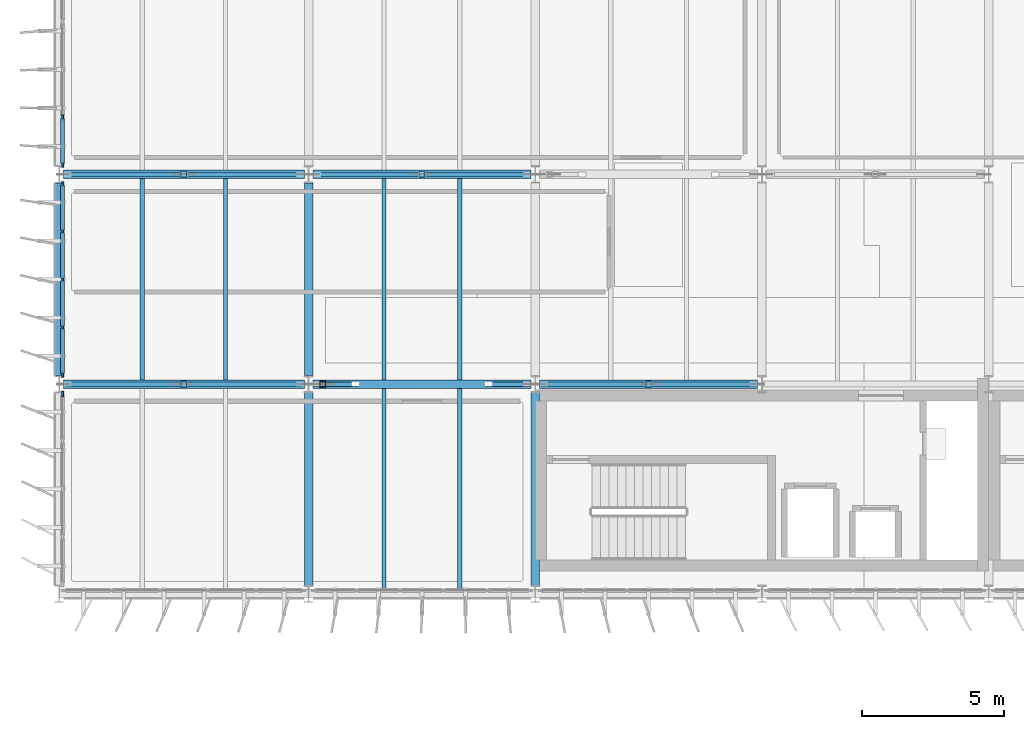
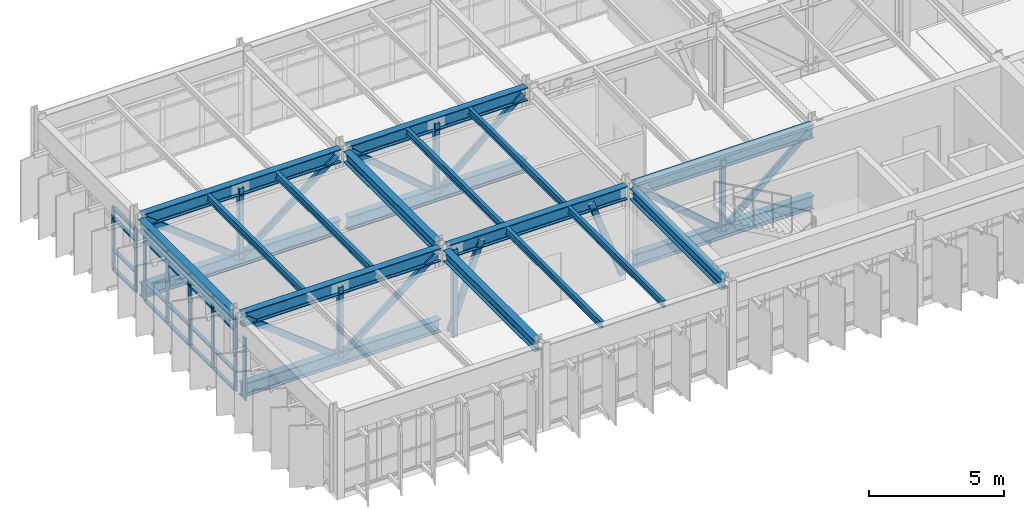
# One storey, part 11 of 56: 52 members, 10 beams, 3 elements without a shape of their own.
"""IFC4 building model written with IfcOpenShell, lengths in metres."""

from ifc_helpers import new_model, si_unit, direction, frame, origin, origin_2d, place, context, subcontext, project, spatial, rectangle, hollow_rectangle, i_section, extrude, material, layer, layer_set, material_profile, profile_set, type_object, element, aggregate, save


model = new_model("IFC4")

# Units and contexts
model_context = context("Model", 3, precision=1e-05, world=origin(), true_north=direction((0.0, 1.0)))
body_context = subcontext(model_context, "Body", "Model", "MODEL_VIEW")
ifc_project = project(units=[si_unit("LENGTHUNIT", "METRE"), si_unit("AREAUNIT", "SQUARE_METRE"), si_unit("VOLUMEUNIT", "CUBIC_METRE"), si_unit("PLANEANGLEUNIT", "RADIAN"), si_unit("MASSUNIT", "GRAM", prefix="KILO")], contexts=[model_context])

# Site, building, storey
site_placement = place(None, origin())
site = spatial("IfcSite", under=ifc_project, at=site_placement, CompositionType="ELEMENT")
building_placement = place(site_placement, origin())
building = spatial("IfcBuilding", under=site, at=building_placement, Name="Valkorina Park Police Headquarters", CompositionType="ELEMENT")
storey_placement = place(building_placement, frame((0.0, 0.0, 14.10009765625)))
storey = spatial("IfcBuildingStorey", under=building, at=storey_placement, Name="L04", CompositionType="ELEMENT", Elevation=14.10009765625)

# Beams
ifc_material_1 = material(Name="Steel S355", Category="steel")
ifc_material_profile_1 = material_profile(ifc_material_1, i_section(OverallWidth=0.300048828125, OverallDepth=0.489990234375, WebThickness=0.011962890625, FlangeThickness=0.02294921875, FilletRadius=0.027099609375, at=origin_2d()), Name="HEA 500")
ifc_profile_set_1 = profile_set([ifc_material_profile_1], Name="Steel S355")
beam_type_1 = type_object("IfcBeamType", Name="BM-S355-HEA500-BM", PredefinedType="BEAM", material=ifc_profile_set_1)
for number, where, z_axis, x_axis, name in (
    (1, (8.800048828125, 37.300048828125, 3.510009765625), (0.0, 1.0, 0.0), (-1.0, 0.0, 0.0), "L04 Framing Beam 2300"),
    (2, (8.800048828125, 44.699951171875, 3.510009765625), (0.0, 1.0, 0.0), (-1.0, 0.0, 0.0), "L04 Framing Beam 2303"),
    (3, (16.800048828125, 37.300048828125, 3.510009765625), (0.0, 1.0, 0.0), (-1.0, 0.0, 0.0), "L04 Framing Beam 2309"),
):
    element("IfcBeam", number, at=place(storey_placement, frame(where, z_axis=z_axis, x_axis=x_axis)), inside=storey, type_object=beam_type_1, Name=name, PredefinedType="BEAM", context=body_context, shape_type="SweptSolid", body=[
        extrude(i_section(OverallWidth=0.300048828125, OverallDepth=0.489990234375, WebThickness=0.011962890625, FlangeThickness=0.02294921875, FilletRadius=0.027099609375, at=origin_2d()), origin(), (0.0, 0.0, 1.0), 6.800048828125),
    ])
ifc_material_profile_2 = material_profile(ifc_material_1, i_section(OverallWidth=0.300048828125, OverallDepth=0.489990234375, WebThickness=0.011962890625, FlangeThickness=0.02294921875, FilletRadius=0.027099609375, at=origin_2d()), Name="HEA 500")
ifc_profile_set_2 = profile_set([ifc_material_profile_2], Name="Steel S355")
beam_type_2 = type_object("IfcBeamType", Name="BM-S355-HEA500-SPN", PredefinedType="SPANDREL", material=ifc_profile_set_2)
beam_placement = place(storey_placement, frame((0.0, 44.699951171875, 3.510009765625), z_axis=(0.0, 1.0, 0.0), x_axis=(-1.0, 0.0, 0.0)))
element("IfcBeam", 4, at=beam_placement, inside=storey, type_object=beam_type_2, Name="L04 Framing Beam 2294", PredefinedType="SPANDREL", context=body_context, shape_type="SweptSolid", body=[
    extrude(i_section(OverallWidth=0.300048828125, OverallDepth=0.489990234375, WebThickness=0.011962890625, FlangeThickness=0.02294921875, FilletRadius=0.027099609375, at=origin_2d()), origin(), (0.0, 0.0, 1.0), 6.800048828125),
])
ifc_material_profile_3 = material_profile(ifc_material_1, i_section(OverallWidth=0.14990234375, OverallDepth=0.300048828125, WebThickness=0.007080078125, FlangeThickness=0.0107421875, FilletRadius=0.014892578125, at=origin_2d()), Name="IPE 300")
ifc_profile_set_3 = profile_set([ifc_material_profile_3], Name="Steel S355")
beam_type_3 = type_object("IfcBeamType", Name="BM-S355-IPE300-JST", PredefinedType="JOIST", material=ifc_profile_set_3)
for number, where, z_axis, x_axis, name in (
    (5, (2.933349609375, 44.550048828125, 3.60498046875), (0.0, 1.0, 0.0), (-1.0, 0.0, 0.0), "L04 Framing Beam 2295"),
    (6, (5.86669921875, 44.550048828125, 3.60498046875), (0.0, 1.0, 0.0), (-1.0, 0.0, 0.0), "L04 Framing Beam 2296"),
):
    element("IfcBeam", number, at=place(storey_placement, frame(where, z_axis=z_axis, x_axis=x_axis)), inside=storey, type_object=beam_type_3, Name=name, PredefinedType="JOIST", context=body_context, shape_type="SweptSolid", body=[
        extrude(i_section(OverallWidth=0.14990234375, OverallDepth=0.300048828125, WebThickness=0.007080078125, FlangeThickness=0.0107421875, FilletRadius=0.014892578125, at=origin_2d()), origin(), (0.0, 0.0, 1.0), 7.099853515625),
    ])
for number, where, z_axis, x_axis, name in (
    (7, (11.466796875, 37.14990234375, 3.60498046875), (0.0, 1.0, 0.0), (-1.0, 0.0, 0.0), "L04 Framing Beam 2301"),
    (8, (14.13330078125, 37.14990234375, 3.60498046875), (0.0, 1.0, 0.0), (-1.0, 0.0, 0.0), "L04 Framing Beam 2302"),
):
    element("IfcBeam", number, at=place(storey_placement, frame(where, z_axis=z_axis, x_axis=x_axis)), inside=storey, type_object=beam_type_3, Name=name, PredefinedType="JOIST", context=body_context, shape_type="SweptSolid", body=[
        extrude(i_section(OverallWidth=0.14990234375, OverallDepth=0.300048828125, WebThickness=0.007080078125, FlangeThickness=0.0107421875, FilletRadius=0.014892578125, at=origin_2d()), origin(), (0.0, 0.0, 1.0), 7.10009765625),
    ])
for number, where, z_axis, x_axis, name in (
    (9, (11.466796875, 44.550048828125, 3.60498046875), (0.0, 1.0, 0.0), (-1.0, 0.0, 0.0), "L04 Framing Beam 2304"),
    (10, (14.13330078125, 44.550048828125, 3.60498046875), (0.0, 1.0, 0.0), (-1.0, 0.0, 0.0), "L04 Framing Beam 2305"),
):
    element("IfcBeam", number, at=place(storey_placement, frame(where, z_axis=z_axis, x_axis=x_axis)), inside=storey, type_object=beam_type_3, Name=name, PredefinedType="JOIST", context=body_context, shape_type="SweptSolid", body=[
        extrude(i_section(OverallWidth=0.14990234375, OverallDepth=0.300048828125, WebThickness=0.007080078125, FlangeThickness=0.0107421875, FilletRadius=0.014892578125, at=origin_2d()), origin(), (0.0, 0.0, 1.0), 7.099853515625),
    ])

# Curtain wall, member
ifc_material_2 = material(Name="Thermally broken aluminium AW-6060", Category="aluminium")
ifc_layer_1 = layer(ifc_material_2, 0.18994140625)
ifc_layer_set_1 = layer_set([ifc_layer_1], Name="Thermally broken aluminium AW-6060")
curtain_wall_type_1 = type_object("IfcCurtainWallType", Name="CW-V5-6780x2840", PredefinedType="NOTDEFINED", material=ifc_layer_set_1)
curtain_wall_1_placement = place(storey_placement, origin())
curtain_wall_1 = element("IfcCurtainWall", 11, at=curtain_wall_1_placement, inside=storey, type_object=curtain_wall_type_1, Name="L04 Unitised Curtain Wall 058", PredefinedType="NOTDEFINED")
ifc_material_profile_4 = material_profile(ifc_material_2, rectangle(XDim=0.070068359375, YDim=0.18994140625, at=origin_2d()), Name="CWM-02 70x190")
ifc_profile_set_4 = profile_set([ifc_material_profile_4], Name="Thermally broken aluminium AW-6060")
member_type_1 = type_object("IfcMemberType", Name="CWM-70x190", PredefinedType="MULLION", material=ifc_profile_set_4)
member_1_placement = place(storey_placement, frame((0.1201171875, 44.054931640625, 0.0), z_axis=(0.0, 0.0, 1.0), x_axis=(-1.0, 0.0, 0.0)))
member_1 = element("IfcMember", 12, at=member_1_placement, type_object=member_type_1, Name="CW-V5-678-284 mullion 5", PredefinedType="MULLION", context=body_context, shape_type="SweptSolid", body=[
    extrude(rectangle(XDim=0.070068359375, YDim=0.18994140625, at=origin_2d()), origin(), (0.0, 0.0, 1.0), 2.844970703125),
])
aggregate(curtain_wall_1, [member_1])

# Curtain wall, members
ifc_layer_2 = layer(ifc_material_2, 0.18994140625)
ifc_layer_set_2 = layer_set([ifc_layer_2], Name="Thermally broken aluminium AW-6060")
curtain_wall_type_2 = type_object("IfcCurtainWallType", Name="CW-V5-6780x3260", PredefinedType="NOTDEFINED", material=ifc_layer_set_2)
curtain_wall_2_placement = place(storey_placement, origin())
curtain_wall_2 = element("IfcCurtainWall", 13, at=curtain_wall_2_placement, inside=storey, type_object=curtain_wall_type_2, Name="L04 Unitised Curtain Wall 059", PredefinedType="NOTDEFINED")
member_2_placement = place(storey_placement, frame((0.1201171875, 44.7451171875, 0.0), z_axis=(0.0, 0.0, 1.0), x_axis=(-1.0, 0.0, 0.0)))
member_2 = element("IfcMember", 14, at=member_2_placement, type_object=member_type_1, Name="CW-V5-678-326 mullion 1", PredefinedType="MULLION", context=body_context, shape_type="SweptSolid", body=[
    extrude(rectangle(XDim=0.070068359375, YDim=0.18994140625, at=origin_2d()), origin(), (0.0, 0.0, 1.0), 3.2548828125),
])
member_3_placement = place(storey_placement, frame((0.1201171875, 46.405029296875, 0.0), z_axis=(0.0, 0.0, 1.0), x_axis=(-1.0, 0.0, 0.0)))
member_3 = element("IfcMember", 15, at=member_3_placement, type_object=member_type_1, Name="CW-V5-678-326 mullion 2", PredefinedType="MULLION", context=body_context, shape_type="SweptSolid", body=[
    extrude(rectangle(XDim=0.070068359375, YDim=0.18994140625, at=origin_2d()), origin(), (0.0, 0.0, 1.0), 3.2548828125),
])
member_4_placement = place(storey_placement, frame((0.1201171875, 48.10009765625, 0.0), z_axis=(0.0, 0.0, 1.0), x_axis=(-1.0, 0.0, 0.0)))
member_4 = element("IfcMember", 16, at=member_4_placement, type_object=member_type_1, Name="CW-V5-678-326 mullion 3", PredefinedType="MULLION", context=body_context, shape_type="SweptSolid", body=[
    extrude(rectangle(XDim=0.070068359375, YDim=0.18994140625, at=origin_2d()), origin(), (0.0, 0.0, 1.0), 3.2548828125),
])
member_5_placement = place(storey_placement, frame((0.1201171875, 49.794921875, 0.0), z_axis=(0.0, 0.0, 1.0), x_axis=(-1.0, 0.0, 0.0)))
member_5 = element("IfcMember", 17, at=member_5_placement, type_object=member_type_1, Name="CW-V5-678-326 mullion 4", PredefinedType="MULLION", context=body_context, shape_type="SweptSolid", body=[
    extrude(rectangle(XDim=0.070068359375, YDim=0.18994140625, at=origin_2d()), origin(), (0.0, 0.0, 1.0), 3.2548828125),
])
member_6_placement = place(storey_placement, frame((0.1201171875, 51.455078125, 0.0), z_axis=(0.0, 0.0, 1.0), x_axis=(-1.0, 0.0, 0.0)))
member_6 = element("IfcMember", 18, at=member_6_placement, type_object=member_type_1, Name="CW-V5-678-326 mullion 5", PredefinedType="MULLION", context=body_context, shape_type="SweptSolid", body=[
    extrude(rectangle(XDim=0.070068359375, YDim=0.18994140625, at=origin_2d()), origin(), (0.0, 0.0, 1.0), 3.2548828125),
])

curtain_wall_3_placement = place(storey_placement, origin())
curtain_wall_3 = element("IfcCurtainWall", 19, at=curtain_wall_3_placement, inside=storey, type_object=curtain_wall_type_1, Name="L04 Unitised Curtain Wall 060", PredefinedType="NOTDEFINED")
member_7_placement = place(storey_placement, frame((0.1201171875, 52.14501953125, 0.0), z_axis=(0.0, 0.0, 1.0), x_axis=(-1.0, 0.0, 0.0)))
member_7 = element("IfcMember", 20, at=member_7_placement, type_object=member_type_1, Name="CW-V5-678-284 mullion 1", PredefinedType="MULLION", context=body_context, shape_type="SweptSolid", body=[
    extrude(rectangle(XDim=0.070068359375, YDim=0.18994140625, at=origin_2d()), origin(), (0.0, 0.0, 1.0), 2.844970703125),
])
member_8_placement = place(storey_placement, frame((0.1201171875, 53.804931640625, 0.0), z_axis=(0.0, 0.0, 1.0), x_axis=(-1.0, 0.0, 0.0)))
member_8 = element("IfcMember", 21, at=member_8_placement, type_object=member_type_1, Name="CW-V5-678-284 mullion 2", PredefinedType="MULLION", context=body_context, shape_type="SweptSolid", body=[
    extrude(rectangle(XDim=0.070068359375, YDim=0.18994140625, at=origin_2d()), origin(), (0.0, 0.0, 1.0), 2.844970703125),
])

# Member
ifc_material_profile_5 = material_profile(ifc_material_2, rectangle(XDim=0.14990234375, YDim=0.070068359375, at=origin_2d()), Name="CWT-02 150x70")
ifc_profile_set_5 = profile_set([ifc_material_profile_5], Name="Thermally broken aluminium AW-6060")
member_type_2 = type_object("IfcMemberType", Name="CWT-150x70", PredefinedType="USERDEFINED", material=ifc_profile_set_5)
member_9_placement = place(storey_placement, frame((0.1201171875, 44.780029296875, 0.034912109375), z_axis=(0.0, 1.0, 0.0), x_axis=(-1.0, 0.0, 0.0)))
member_9 = element("IfcMember", 22, at=member_9_placement, type_object=member_type_2, Name="CW-V5-678-326 transom 1.1", ObjectType="TRANSOM", PredefinedType="USERDEFINED", context=body_context, shape_type="SweptSolid", body=[
    extrude(rectangle(XDim=0.14990234375, YDim=0.070068359375, at=origin_2d()), origin(), (0.0, 0.0, 1.0), 1.590087890625),
])

member_10_placement = place(storey_placement, frame((0.1201171875, 44.780029296875, 0.89990234375), z_axis=(0.0, 1.0, 0.0), x_axis=(-1.0, 0.0, 0.0)))
member_10 = element("IfcMember", 23, at=member_10_placement, type_object=member_type_2, Name="CW-V5-678-326 transom 1.2", ObjectType="TRANSOM", PredefinedType="USERDEFINED", context=body_context, shape_type="SweptSolid", body=[
    extrude(rectangle(XDim=0.14990234375, YDim=0.070068359375, at=origin_2d()), origin(), (0.0, 0.0, 1.0), 1.590087890625),
])

member_11_placement = place(storey_placement, frame((0.1201171875, 44.780029296875, 2.73486328125), z_axis=(0.0, 1.0, 0.0), x_axis=(-1.0, 0.0, 0.0)))
member_11 = element("IfcMember", 24, at=member_11_placement, type_object=member_type_2, Name="CW-V5-678-326 transom 1.3", ObjectType="TRANSOM", PredefinedType="USERDEFINED", context=body_context, shape_type="SweptSolid", body=[
    extrude(rectangle(XDim=0.14990234375, YDim=0.070068359375, at=origin_2d()), origin(), (0.0, 0.0, 1.0), 1.590087890625),
])

member_12_placement = place(storey_placement, frame((0.1201171875, 44.780029296875, 3.219970703125), z_axis=(0.0, 1.0, 0.0), x_axis=(-1.0, 0.0, 0.0)))
member_12 = element("IfcMember", 25, at=member_12_placement, type_object=member_type_2, Name="CW-V5-678-326 transom 1.4", ObjectType="TRANSOM", PredefinedType="USERDEFINED", context=body_context, shape_type="SweptSolid", body=[
    extrude(rectangle(XDim=0.14990234375, YDim=0.070068359375, at=origin_2d()), origin(), (0.0, 0.0, 1.0), 1.590087890625),
])

member_13_placement = place(storey_placement, frame((0.1201171875, 46.43994140625, 0.034912109375), z_axis=(0.0, 1.0, 0.0), x_axis=(-1.0, 0.0, 0.0)))
member_13 = element("IfcMember", 26, at=member_13_placement, type_object=member_type_2, Name="CW-V5-678-326 transom 2.1", ObjectType="TRANSOM", PredefinedType="USERDEFINED", context=body_context, shape_type="SweptSolid", body=[
    extrude(rectangle(XDim=0.14990234375, YDim=0.070068359375, at=origin_2d()), origin(), (0.0, 0.0, 1.0), 1.625),
])

member_14_placement = place(storey_placement, frame((0.1201171875, 46.43994140625, 0.89990234375), z_axis=(0.0, 1.0, 0.0), x_axis=(-1.0, 0.0, 0.0)))
member_14 = element("IfcMember", 27, at=member_14_placement, type_object=member_type_2, Name="CW-V5-678-326 transom 2.2", ObjectType="TRANSOM", PredefinedType="USERDEFINED", context=body_context, shape_type="SweptSolid", body=[
    extrude(rectangle(XDim=0.14990234375, YDim=0.070068359375, at=origin_2d()), origin(), (0.0, 0.0, 1.0), 1.625),
])

member_15_placement = place(storey_placement, frame((0.1201171875, 46.43994140625, 2.73486328125), z_axis=(0.0, 1.0, 0.0), x_axis=(-1.0, 0.0, 0.0)))
member_15 = element("IfcMember", 28, at=member_15_placement, type_object=member_type_2, Name="CW-V5-678-326 transom 2.3", ObjectType="TRANSOM", PredefinedType="USERDEFINED", context=body_context, shape_type="SweptSolid", body=[
    extrude(rectangle(XDim=0.14990234375, YDim=0.070068359375, at=origin_2d()), origin(), (0.0, 0.0, 1.0), 1.625),
])

member_16_placement = place(storey_placement, frame((0.1201171875, 46.43994140625, 3.219970703125), z_axis=(0.0, 1.0, 0.0), x_axis=(-1.0, 0.0, 0.0)))
member_16 = element("IfcMember", 29, at=member_16_placement, type_object=member_type_2, Name="CW-V5-678-326 transom 2.4", ObjectType="TRANSOM", PredefinedType="USERDEFINED", context=body_context, shape_type="SweptSolid", body=[
    extrude(rectangle(XDim=0.14990234375, YDim=0.070068359375, at=origin_2d()), origin(), (0.0, 0.0, 1.0), 1.625),
])

member_17_placement = place(storey_placement, frame((0.1201171875, 48.135009765625, 0.034912109375), z_axis=(0.0, 1.0, 0.0), x_axis=(-1.0, 0.0, 0.0)))
member_17 = element("IfcMember", 30, at=member_17_placement, type_object=member_type_2, Name="CW-V5-678-326 transom 3.1", ObjectType="TRANSOM", PredefinedType="USERDEFINED", context=body_context, shape_type="SweptSolid", body=[
    extrude(rectangle(XDim=0.14990234375, YDim=0.070068359375, at=origin_2d()), origin(), (0.0, 0.0, 1.0), 1.625),
])

member_18_placement = place(storey_placement, frame((0.1201171875, 48.135009765625, 0.89990234375), z_axis=(0.0, 1.0, 0.0), x_axis=(-1.0, 0.0, 0.0)))
member_18 = element("IfcMember", 31, at=member_18_placement, type_object=member_type_2, Name="CW-V5-678-326 transom 3.2", ObjectType="TRANSOM", PredefinedType="USERDEFINED", context=body_context, shape_type="SweptSolid", body=[
    extrude(rectangle(XDim=0.14990234375, YDim=0.070068359375, at=origin_2d()), origin(), (0.0, 0.0, 1.0), 1.625),
])

member_19_placement = place(storey_placement, frame((0.1201171875, 48.135009765625, 2.73486328125), z_axis=(0.0, 1.0, 0.0), x_axis=(-1.0, 0.0, 0.0)))
member_19 = element("IfcMember", 32, at=member_19_placement, type_object=member_type_2, Name="CW-V5-678-326 transom 3.3", ObjectType="TRANSOM", PredefinedType="USERDEFINED", context=body_context, shape_type="SweptSolid", body=[
    extrude(rectangle(XDim=0.14990234375, YDim=0.070068359375, at=origin_2d()), origin(), (0.0, 0.0, 1.0), 1.625),
])

member_20_placement = place(storey_placement, frame((0.1201171875, 48.135009765625, 3.219970703125), z_axis=(0.0, 1.0, 0.0), x_axis=(-1.0, 0.0, 0.0)))
member_20 = element("IfcMember", 33, at=member_20_placement, type_object=member_type_2, Name="CW-V5-678-326 transom 3.4", ObjectType="TRANSOM", PredefinedType="USERDEFINED", context=body_context, shape_type="SweptSolid", body=[
    extrude(rectangle(XDim=0.14990234375, YDim=0.070068359375, at=origin_2d()), origin(), (0.0, 0.0, 1.0), 1.625),
])

member_21_placement = place(storey_placement, frame((0.1201171875, 49.830078125, 0.034912109375), z_axis=(0.0, 1.0, 0.0), x_axis=(-1.0, 0.0, 0.0)))
member_21 = element("IfcMember", 34, at=member_21_placement, type_object=member_type_2, Name="CW-V5-678-326 transom 4.1", ObjectType="TRANSOM", PredefinedType="USERDEFINED", context=body_context, shape_type="SweptSolid", body=[
    extrude(rectangle(XDim=0.14990234375, YDim=0.070068359375, at=origin_2d()), origin(), (0.0, 0.0, 1.0), 1.58984375),
])

member_22_placement = place(storey_placement, frame((0.1201171875, 49.830078125, 0.89990234375), z_axis=(0.0, 1.0, 0.0), x_axis=(-1.0, 0.0, 0.0)))
member_22 = element("IfcMember", 35, at=member_22_placement, type_object=member_type_2, Name="CW-V5-678-326 transom 4.2", ObjectType="TRANSOM", PredefinedType="USERDEFINED", context=body_context, shape_type="SweptSolid", body=[
    extrude(rectangle(XDim=0.14990234375, YDim=0.070068359375, at=origin_2d()), origin(), (0.0, 0.0, 1.0), 1.58984375),
])

member_23_placement = place(storey_placement, frame((0.1201171875, 49.830078125, 2.73486328125), z_axis=(0.0, 1.0, 0.0), x_axis=(-1.0, 0.0, 0.0)))
member_23 = element("IfcMember", 36, at=member_23_placement, type_object=member_type_2, Name="CW-V5-678-326 transom 4.3", ObjectType="TRANSOM", PredefinedType="USERDEFINED", context=body_context, shape_type="SweptSolid", body=[
    extrude(rectangle(XDim=0.14990234375, YDim=0.070068359375, at=origin_2d()), origin(), (0.0, 0.0, 1.0), 1.58984375),
])

member_24_placement = place(storey_placement, frame((0.1201171875, 49.830078125, 3.219970703125), z_axis=(0.0, 1.0, 0.0), x_axis=(-1.0, 0.0, 0.0)))
member_24 = element("IfcMember", 37, at=member_24_placement, type_object=member_type_2, Name="CW-V5-678-326 transom 4.4", ObjectType="TRANSOM", PredefinedType="USERDEFINED", context=body_context, shape_type="SweptSolid", body=[
    extrude(rectangle(XDim=0.14990234375, YDim=0.070068359375, at=origin_2d()), origin(), (0.0, 0.0, 1.0), 1.58984375),
])

aggregate(curtain_wall_2, [member_2, member_3, member_4, member_5, member_6, member_9, member_10, member_11, member_12, member_13, member_14, member_15, member_16, member_17, member_18, member_19, member_20, member_21, member_22, member_23, member_24])

member_25_placement = place(storey_placement, frame((0.1201171875, 52.179931640625, 0.034912109375), z_axis=(0.0, 1.0, 0.0), x_axis=(-1.0, 0.0, 0.0)))
member_25 = element("IfcMember", 38, at=member_25_placement, type_object=member_type_2, Name="CW-V5-678-284 transom 1.1", ObjectType="TRANSOM", PredefinedType="USERDEFINED", context=body_context, shape_type="SweptSolid", body=[
    extrude(rectangle(XDim=0.14990234375, YDim=0.070068359375, at=origin_2d()), origin(), (0.0, 0.0, 1.0), 1.590087890625),
])

member_26_placement = place(storey_placement, frame((0.1201171875, 52.179931640625, 0.89990234375), z_axis=(0.0, 1.0, 0.0), x_axis=(-1.0, 0.0, 0.0)))
member_26 = element("IfcMember", 39, at=member_26_placement, type_object=member_type_2, Name="CW-V5-678-284 transom 1.2", ObjectType="TRANSOM", PredefinedType="USERDEFINED", context=body_context, shape_type="SweptSolid", body=[
    extrude(rectangle(XDim=0.14990234375, YDim=0.070068359375, at=origin_2d()), origin(), (0.0, 0.0, 1.0), 1.590087890625),
])

member_27_placement = place(storey_placement, frame((0.1201171875, 52.179931640625, 2.324951171875), z_axis=(0.0, 1.0, 0.0), x_axis=(-1.0, 0.0, 0.0)))
member_27 = element("IfcMember", 40, at=member_27_placement, type_object=member_type_2, Name="CW-V5-678-284 transom 1.3", ObjectType="TRANSOM", PredefinedType="USERDEFINED", context=body_context, shape_type="SweptSolid", body=[
    extrude(rectangle(XDim=0.14990234375, YDim=0.070068359375, at=origin_2d()), origin(), (0.0, 0.0, 1.0), 1.590087890625),
])

member_28_placement = place(storey_placement, frame((0.1201171875, 52.179931640625, 2.809814453125), z_axis=(0.0, 1.0, 0.0), x_axis=(-1.0, 0.0, 0.0)))
member_28 = element("IfcMember", 41, at=member_28_placement, type_object=member_type_2, Name="CW-V5-678-284 transom 1.4", ObjectType="TRANSOM", PredefinedType="USERDEFINED", context=body_context, shape_type="SweptSolid", body=[
    extrude(rectangle(XDim=0.14990234375, YDim=0.070068359375, at=origin_2d()), origin(), (0.0, 0.0, 1.0), 1.590087890625),
])

aggregate(curtain_wall_3, [member_7, member_8, member_25, member_26, member_27, member_28])

# Members
ifc_material_profile_6 = material_profile(ifc_material_1, i_section(OverallWidth=0.300048828125, OverallDepth=0.60009765625, WebThickness=0.015380859375, FlangeThickness=0.030029296875, FilletRadius=0.027099609375, at=origin_2d()), Name="HEB 600")
ifc_profile_set_6 = profile_set([ifc_material_profile_6], Name="Steel S355")
member_type_3 = type_object("IfcMemberType", Name="MB-S355-HEB600-CHD", PredefinedType="CHORD", material=ifc_profile_set_6)
for number, where, z_axis, x_axis, name in (
    (42, (0.14990234375, 44.39990234375, 0.25), (1.0, 0.0, 0.0), (0.0, 1.0, 0.0), "Cantilever Truss M1 Bottom Chord 1"),
    (43, (0.14990234375, 44.39990234375, 3.454833984375), (1.0, 0.0, 0.0), (0.0, 1.0, 0.0), "Cantilever Truss M1 Top Chord 1"),
):
    element("IfcMember", number, at=place(storey_placement, frame(where, z_axis=z_axis, x_axis=x_axis)), inside=storey, type_object=member_type_3, Name=name, PredefinedType="CHORD", context=body_context, shape_type="SweptSolid", body=[
        extrude(i_section(OverallWidth=0.300048828125, OverallDepth=0.60009765625, WebThickness=0.015380859375, FlangeThickness=0.030029296875, FilletRadius=0.027099609375, at=origin_2d()), origin(), (0.0, 0.0, 1.0), 8.5),
    ])
for number, where, z_axis, x_axis, name in (
    (44, (8.949951171875, 44.39990234375, 3.454833984375), (1.0, 0.0, 0.0), (0.0, 1.0, 0.0), "Cantilever Truss M1 Top Chord 2"),
    (45, (16.949951171875, 44.39990234375, 0.25), (1.0, 0.0, 0.0), (0.0, 1.0, 0.0), "Cantilever Truss M1 Bottom Chord 3"),
    (46, (16.949951171875, 44.39990234375, 3.454833984375), (1.0, 0.0, 0.0), (0.0, 1.0, 0.0), "Cantilever Truss M1 Top Chord 3"),
):
    element("IfcMember", number, at=place(storey_placement, frame(where, z_axis=z_axis, x_axis=x_axis)), inside=storey, type_object=member_type_3, Name=name, PredefinedType="CHORD", context=body_context, shape_type="SweptSolid", body=[
        extrude(i_section(OverallWidth=0.300048828125, OverallDepth=0.60009765625, WebThickness=0.015380859375, FlangeThickness=0.030029296875, FilletRadius=0.027099609375, at=origin_2d()), origin(), (0.0, 0.0, 1.0), 7.699951171875),
    ])
for number, where, z_axis, x_axis, name in (
    (47, (0.14990234375, 51.800048828125, 0.25), (1.0, 0.0, 0.0), (0.0, 1.0, 0.0), "Cantilever Truss M2 Bottom Chord 1"),
    (48, (0.14990234375, 51.800048828125, 3.454833984375), (1.0, 0.0, 0.0), (0.0, 1.0, 0.0), "Cantilever Truss M2 Top Chord 1"),
):
    element("IfcMember", number, at=place(storey_placement, frame(where, z_axis=z_axis, x_axis=x_axis)), inside=storey, type_object=member_type_3, Name=name, PredefinedType="CHORD", context=body_context, shape_type="SweptSolid", body=[
        extrude(i_section(OverallWidth=0.300048828125, OverallDepth=0.60009765625, WebThickness=0.015380859375, FlangeThickness=0.030029296875, FilletRadius=0.027099609375, at=origin_2d()), origin(), (0.0, 0.0, 1.0), 8.5),
    ])
for number, where, z_axis, x_axis, name in (
    (49, (8.949951171875, 51.800048828125, 0.25), (1.0, 0.0, 0.0), (0.0, 1.0, 0.0), "Cantilever Truss M2 Bottom Chord 2"),
    (50, (8.949951171875, 51.800048828125, 3.454833984375), (1.0, 0.0, 0.0), (0.0, 1.0, 0.0), "Cantilever Truss M2 Top Chord 2"),
):
    element("IfcMember", number, at=place(storey_placement, frame(where, z_axis=z_axis, x_axis=x_axis)), inside=storey, type_object=member_type_3, Name=name, PredefinedType="CHORD", context=body_context, shape_type="SweptSolid", body=[
        extrude(i_section(OverallWidth=0.300048828125, OverallDepth=0.60009765625, WebThickness=0.015380859375, FlangeThickness=0.030029296875, FilletRadius=0.027099609375, at=origin_2d()), origin(), (0.0, 0.0, 1.0), 7.699951171875),
    ])
ifc_material_profile_7 = material_profile(ifc_material_1, hollow_rectangle(XDim=0.14990234375, YDim=0.25, WallThickness=0.010009765625, at=origin_2d()), Name="RHS 250x150x10")
ifc_profile_set_7 = profile_set([ifc_material_profile_7], Name="Steel S355")
member_type_4 = type_object("IfcMemberType", Name="MB-S355-RHS250-WEB", PredefinedType="BRACE", material=ifc_profile_set_7)
member_29_placement = place(storey_placement, frame((0.300048828125, 44.39990234375, 3.454833984375), z_axis=(0.787854349171, 0.0, -0.615861611479), x_axis=(0.0, 1.0, 0.0)))
element("IfcMember", 51, at=member_29_placement, inside=storey, type_object=member_type_4, Name="Cantilever Truss M1 Web Diagonal 1.1", PredefinedType="BRACE", context=body_context, shape_type="SweptSolid", body=[
    extrude(hollow_rectangle(XDim=0.14990234375, YDim=0.25, WallThickness=0.010009765625, at=origin_2d()), origin(), (0.0, 0.0, 1.0), 5.203857421875),
])
member_30_placement = place(storey_placement, frame((4.39990234375, 44.39990234375, 0.25), z_axis=(0.787872142607, 0.0, 0.61583884816), x_axis=(0.0, 1.0, 0.0)))
element("IfcMember", 52, at=member_30_placement, inside=storey, type_object=member_type_4, Name="Cantilever Truss M1 Web Diagonal 1.2", PredefinedType="BRACE", context=body_context, shape_type="SweptSolid", body=[
    extrude(hollow_rectangle(XDim=0.14990234375, YDim=0.25, WallThickness=0.010009765625, at=origin_2d()), origin(), (0.0, 0.0, 1.0), 5.2041015625),
])
for number, where, z_axis, x_axis, name in (
    (53, (9.10009765625, 44.39990234375, -0.2451171875), (0.34273332874, 0.0, 0.939432735948), (0.0, 1.0, 0.0), "Cantilever Truss M1 Web Diagonal 2.1"),
    (54, (15.14990234375, 44.39990234375, 3.454833984375), (0.342788033774, 0.0, -0.939412776101), (0.0, 1.0, 0.0), "Cantilever Truss M1 Web Diagonal 2.2"),
):
    element("IfcMember", number, at=place(storey_placement, frame(where, z_axis=z_axis, x_axis=x_axis)), inside=storey, type_object=member_type_4, Name=name, PredefinedType="BRACE", context=body_context, shape_type="SweptSolid", body=[
        extrude(hollow_rectangle(XDim=0.14990234375, YDim=0.25, WallThickness=0.010009765625, at=origin_2d()), origin(), (0.0, 0.0, 1.0), 3.9384765625),
    ])
for number, where, z_axis, x_axis, name in (
    (55, (17.10009765625, 44.39990234375, 3.454833984375), (0.755870075786, 0.0, -0.654721642022), (0.0, 1.0, 0.0), "Cantilever Truss M1 Web Diagonal 3.1"),
    (56, (20.800048828125, 44.39990234375, 0.25), (0.755870075786, 0.0, 0.654721642022), (0.0, 1.0, 0.0), "Cantilever Truss M1 Web Diagonal 3.2"),
):
    element("IfcMember", number, at=place(storey_placement, frame(where, z_axis=z_axis, x_axis=x_axis)), inside=storey, type_object=member_type_4, Name=name, PredefinedType="BRACE", context=body_context, shape_type="SweptSolid", body=[
        extrude(hollow_rectangle(XDim=0.14990234375, YDim=0.25, WallThickness=0.010009765625, at=origin_2d()), origin(), (0.0, 0.0, 1.0), 4.89501953125),
    ])
member_31_placement = place(storey_placement, frame((0.300048828125, 51.800048828125, 3.454833984375), z_axis=(0.787854349171, 0.0, -0.615861611479), x_axis=(0.0, 1.0, 0.0)))
element("IfcMember", 57, at=member_31_placement, inside=storey, type_object=member_type_4, Name="Cantilever Truss M2 Web Diagonal 1.1", PredefinedType="BRACE", context=body_context, shape_type="SweptSolid", body=[
    extrude(hollow_rectangle(XDim=0.14990234375, YDim=0.25, WallThickness=0.010009765625, at=origin_2d()), origin(), (0.0, 0.0, 1.0), 5.203857421875),
])
member_32_placement = place(storey_placement, frame((4.39990234375, 51.800048828125, 0.25), z_axis=(0.787872142607, 0.0, 0.61583884816), x_axis=(0.0, 1.0, 0.0)))
element("IfcMember", 58, at=member_32_placement, inside=storey, type_object=member_type_4, Name="Cantilever Truss M2 Web Diagonal 1.2", PredefinedType="BRACE", context=body_context, shape_type="SweptSolid", body=[
    extrude(hollow_rectangle(XDim=0.14990234375, YDim=0.25, WallThickness=0.010009765625, at=origin_2d()), origin(), (0.0, 0.0, 1.0), 5.2041015625),
])
for number, where, z_axis, x_axis, name in (
    (59, (9.10009765625, 51.800048828125, 3.454833984375), (0.755870075786, 0.0, -0.654721642022), (0.0, 1.0, 0.0), "Cantilever Truss M2 Web Diagonal 2.1"),
    (60, (12.800048828125, 51.800048828125, 0.25), (0.755870075786, 0.0, 0.654721642022), (0.0, 1.0, 0.0), "Cantilever Truss M2 Web Diagonal 2.2"),
):
    element("IfcMember", number, at=place(storey_placement, frame(where, z_axis=z_axis, x_axis=x_axis)), inside=storey, type_object=member_type_4, Name=name, PredefinedType="BRACE", context=body_context, shape_type="SweptSolid", body=[
        extrude(hollow_rectangle(XDim=0.14990234375, YDim=0.25, WallThickness=0.010009765625, at=origin_2d()), origin(), (0.0, 0.0, 1.0), 4.89501953125),
    ])
ifc_material_profile_8 = material_profile(ifc_material_1, hollow_rectangle(XDim=0.199951171875, YDim=0.199951171875, WallThickness=0.012451171875, at=origin_2d()), Name="SHS 200x200x12.5")
ifc_profile_set_8 = profile_set([ifc_material_profile_8], Name="Steel S355")
member_type_5 = type_object("IfcMemberType", Name="MB-S355-SHS200-STRUT", PredefinedType="BRACE", material=ifc_profile_set_8)
member_33_placement = place(storey_placement, frame((4.39990234375, 44.39990234375, 0.25), z_axis=(0.0, 0.0, 1.0), x_axis=(1.0, 0.0, 0.0)))
element("IfcMember", 61, at=member_33_placement, inside=storey, type_object=member_type_5, Name="Cantilever Truss M1 Vertical Post 1", PredefinedType="BRACE", context=body_context, shape_type="SweptSolid", body=[
    extrude(hollow_rectangle(XDim=0.199951171875, YDim=0.199951171875, WallThickness=0.012451171875, at=origin_2d()), origin(), (0.0, 0.0, 1.0), 3.204833984375),
])
member_34_placement = place(storey_placement, frame((9.300048828125, 44.39990234375, -0.545166015625), z_axis=(0.0, 0.0, 1.0), x_axis=(1.0, 0.0, 0.0)))
element("IfcMember", 62, at=member_34_placement, inside=storey, type_object=member_type_5, Name="Cantilever Truss M1 Vertical Post 2", PredefinedType="BRACE", context=body_context, shape_type="SweptSolid", body=[
    extrude(hollow_rectangle(XDim=0.199951171875, YDim=0.199951171875, WallThickness=0.012451171875, at=origin_2d()), origin(), (0.0, 0.0, 1.0), 4.0),
])
for number, where, z_axis, x_axis, name in (
    (63, (20.800048828125, 44.39990234375, 0.25), (0.0, 0.0, 1.0), (1.0, 0.0, 0.0), "Cantilever Truss M1 Vertical Post 3"),
    (64, (4.39990234375, 51.800048828125, 0.25), (0.0, 0.0, 1.0), (1.0, 0.0, 0.0), "Cantilever Truss M2 Vertical Post 1"),
    (65, (12.800048828125, 51.800048828125, 0.25), (0.0, 0.0, 1.0), (1.0, 0.0, 0.0), "Cantilever Truss M2 Vertical Post 2"),
):
    element("IfcMember", number, at=place(storey_placement, frame(where, z_axis=z_axis, x_axis=x_axis)), inside=storey, type_object=member_type_5, Name=name, PredefinedType="BRACE", context=body_context, shape_type="SweptSolid", body=[
        extrude(hollow_rectangle(XDim=0.199951171875, YDim=0.199951171875, WallThickness=0.012451171875, at=origin_2d()), origin(), (0.0, 0.0, 1.0), 3.204833984375),
    ])

save(model, "model.ifc")
